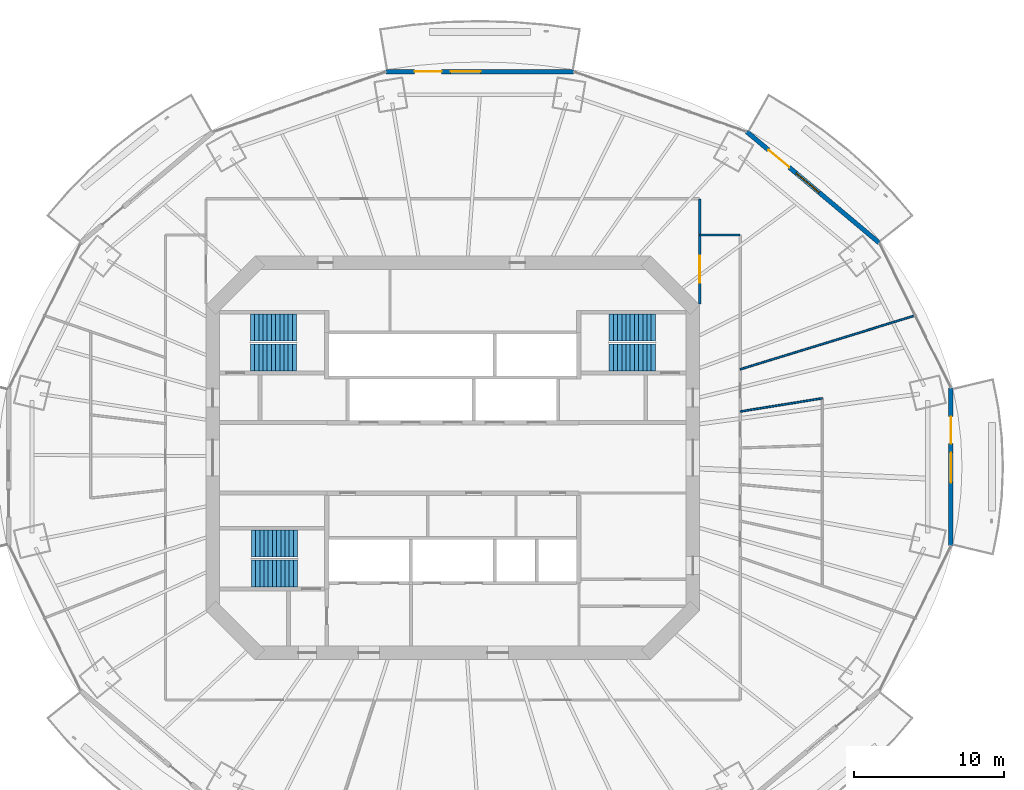
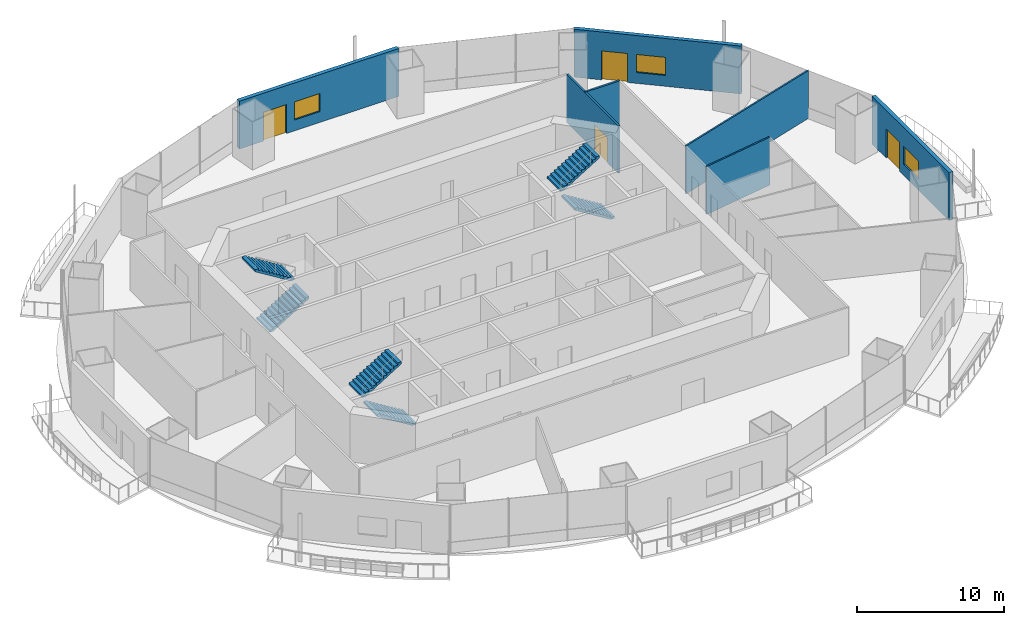
# One storey, part 14 of 20: 7 walls, 6 stair flights, 4 doors, 3 windows, 7 openings, 3 elements without a shape of their own.
"""IFC4 building model written with IfcOpenShell, lengths in metres."""

from ifc_helpers import new_model, si_unit, direction, frame, frame_2d, origin, place, context, subcontext, project, spatial, polyline, rectangle, outline, extrude, material, layer, layer_set, type_object, element, fill, aggregate, save


model = new_model("IFC4")

# Units and contexts
model_context = context("Model", 3, precision=1e-05, world=origin(), true_north=direction((0.0, 1.0)))
body_context = subcontext(model_context, "Body", "Model", "MODEL_VIEW")
ifc_project = project(units=[si_unit("LENGTHUNIT", "METRE"), si_unit("AREAUNIT", "SQUARE_METRE"), si_unit("VOLUMEUNIT", "CUBIC_METRE"), si_unit("PLANEANGLEUNIT", "RADIAN"), si_unit("MASSUNIT", "GRAM", prefix="KILO")], contexts=[model_context])

# Site, building, storey
site_placement = place(None, origin())
site = spatial("IfcSite", under=ifc_project, at=site_placement, CompositionType="ELEMENT")
building_placement = place(site_placement, origin())
building = spatial("IfcBuilding", under=site, at=building_placement, Name="Marenthal Gate Tower", CompositionType="ELEMENT")
storey_placement = place(building_placement, frame((0.0, 0.0, 185.949951171875)))
storey = spatial("IfcBuildingStorey", under=building, at=storey_placement, Name="L40", CompositionType="ELEMENT", Elevation=185.949951171875)

# Walls
ifc_material_1 = material(Name="Gypsum board on steel studs", Category="steel")
ifc_layer_1 = layer(ifc_material_1, 0.1201171875)
ifc_layer_set_1 = layer_set([ifc_layer_1], Name="Partition 120")
wall_type_1 = type_object("IfcWallType", Name="Partition 120", PredefinedType="PARTITIONING", material=ifc_layer_set_1)
wall_1_placement = place(storey_placement, frame((19.14990234375, 5.8935546875, 0.0), z_axis=(0.0, 0.0, 1.0), x_axis=(0.955768190607, 0.29412100541, 0.0)))
element("IfcWall", 1, at=wall_1_placement, inside=storey, type_object=wall_type_1, Name="Partition wall 64", PredefinedType="PARTITIONING", context=body_context, shape_type="SweptSolid", body=[
    extrude(rectangle(XDim=12.199462890625, YDim=0.1201171875, at=frame_2d((6.099609375, 0.0))), origin(), (0.0, 0.0, 1.0), 3.969970703125),
])
wall_2_placement = place(storey_placement, frame((24.61865234375, 3.96337890625, 0.0), z_axis=(0.0, 0.0, 1.0), x_axis=(-0.987288906474, -0.158935883783, 0.0)))
element("IfcWall", 2, at=wall_2_placement, inside=storey, type_object=wall_type_1, Name="Partition wall 70", PredefinedType="PARTITIONING", context=body_context, shape_type="SweptSolid", body=[
    extrude(rectangle(XDim=5.5390625, YDim=0.1201171875, at=frame_2d((2.76953125, 0.0))), origin(), (0.0, 0.0, 1.0), 3.969970703125),
])

# Wall, opening, door
ifc_material_2 = material(Name="Gypsum board on steel studs", Category="steel")
ifc_layer_2 = layer(ifc_material_2, 0.14990234375)
ifc_layer_set_2 = layer_set([ifc_layer_2], Name="Partition 150")
wall_type_2 = type_object("IfcWallType", Name="Partition 150", PredefinedType="PARTITIONING", material=ifc_layer_set_2)
wall_3_placement = place(storey_placement, frame((16.449951171875, 10.25, 0.0), z_axis=(0.0, 0.0, 1.0), x_axis=(0.0, 1.0, 0.0)))
wall_3 = element("IfcWall", 3, at=wall_3_placement, inside=storey, type_object=wall_type_2, Name="Partition wall 60", PredefinedType="PARTITIONING", context=body_context, shape_type="SweptSolid", body=[
    extrude(rectangle(XDim=7.01611328125, YDim=0.14990234375, at=frame_2d((3.508056640625, 0.0))), origin(), (0.0, 0.0, 1.0), 3.969970703125),
])
opening_1_placement = place(wall_3_placement, frame((1.402099609375, 0.0, 0.0)))
opening_1 = element("IfcOpeningElement", 4, at=opening_1_placement, cuts=wall_3, Name="Opening D014.06", PredefinedType="OPENING", context=body_context, shape_type="SweptSolid", body=[
    extrude(rectangle(XDim=1.800048828125, YDim=2.10009765625, at=frame_2d((0.89990234375, 1.050048828125))), frame((0.0, 0.0849609375, 0.0), z_axis=(0.0, -1.0, 0.0), x_axis=(1.0, 0.0, 0.0)), (0.0, 0.0, 1.0), 0.169921875),
])
ifc_material_3 = material(Name="Timber door", Category="wood")
door_type_1 = type_object("IfcDoorType", Name="Double door 1800 x 2100", OperationType="DOUBLE_DOOR_SINGLE_SWING", PredefinedType="DOOR", material=ifc_material_3)
door_1_placement = place(opening_1_placement, origin())
door_1 = element("IfcDoor", 5, at=door_1_placement, inside=storey, type_object=door_type_1, Name="Door D014.06", OperationType="DOUBLE_DOOR_SINGLE_SWING", OverallHeight=2.10009765625, OverallWidth=1.800048828125, PredefinedType="DOOR", context=body_context, shape_type="SweptSolid", body=[
    extrude(rectangle(XDim=1.800048828125, YDim=2.10009765625, at=frame_2d((0.89990234375, 1.050048828125))), frame((0.0, 0.02490234375, 0.0), z_axis=(0.0, -1.0, 0.0), x_axis=(1.0, 0.0, 0.0)), (0.0, 0.0, 1.0), 0.050048828125),
])
fill(opening_1, door_1)

# Wall
wall_4_placement = place(storey_placement, frame((16.449951171875, 14.853759765625, 0.0), z_axis=(0.0, 0.0, 1.0), x_axis=(1.0, 0.0, 0.0)))
element("IfcWall", 6, at=wall_4_placement, inside=storey, type_object=wall_type_2, Name="Partition wall 61", PredefinedType="PARTITIONING", context=body_context, shape_type="SweptSolid", body=[
    extrude(rectangle(XDim=2.699951171875, YDim=0.14990234375, at=frame_2d((1.35009765625, 0.0))), origin(), (0.0, 0.0, 1.0), 3.969970703125),
])

# Wall, openings, door, window
ifc_material_4 = material(Name="Terracotta cladding on insulated concrete-block backing", Category="masonry")
ifc_layer_3 = layer(ifc_material_4, 0.300048828125)
ifc_layer_set_3 = layer_set([ifc_layer_3], Name="Terracotta facade wall 300")
wall_type_3 = type_object("IfcWallType", Name="Terracotta facade wall 300", PredefinedType="SOLIDWALL", material=ifc_layer_set_3)
wall_5_placement = place(storey_placement, frame((28.41943359375, 14.3232421875, 0.0), z_axis=(0.0, 0.0, 1.0), x_axis=(-0.766073485726, 0.642752996468, 0.0)))
wall_5 = element("IfcWall", 7, at=wall_5_placement, inside=storey, type_object=wall_type_3, Name="Terracotta facade wall L40 bay 2", PredefinedType="SOLIDWALL", context=body_context, shape_type="SweptSolid", body=[
    extrude(rectangle(XDim=11.530029296875, YDim=0.300048828125, at=frame_2d((5.76513671875, 0.0))), origin(), (0.0, 0.0, 1.0), 3.969970703125),
])
opening_2_placement = place(wall_5_placement, frame((7.830078125, 0.0, 0.0)))
opening_2 = element("IfcOpeningElement", 8, at=opening_2_placement, cuts=wall_5, Name="Opening BD-L40-02", PredefinedType="OPENING", context=body_context, shape_type="SweptSolid", body=[
    extrude(rectangle(XDim=1.800048828125, YDim=2.39990234375, at=frame_2d((0.89990234375, 1.199951171875))), frame((0.0, 0.16015625, 0.0), z_axis=(0.0, -1.0, 0.0), x_axis=(1.0, 0.0, 0.0)), (0.0, 0.0, 1.0), 0.320068359375),
])
opening_3_placement = place(wall_5_placement, frame((5.22998046875, 0.0, 0.89990234375)))
opening_3 = element("IfcOpeningElement", 9, at=opening_3_placement, cuts=wall_5, Name="Opening WN2-L40-02", PredefinedType="OPENING", context=body_context, shape_type="SweptSolid", body=[
    extrude(rectangle(XDim=2.0, YDim=1.5, at=frame_2d((1.0, 0.75))), frame((0.0, 0.16015625, 0.0), z_axis=(0.0, -1.0, 0.0), x_axis=(1.0, 0.0, 0.0)), (0.0, 0.0, 1.0), 0.320068359375),
])
ifc_material_5 = material(Name="Aluminium and glass", Category="aluminium")
door_type_2 = type_object("IfcDoorType", Name="Balcony door 1800x2400", OperationType="DOUBLE_DOOR_SINGLE_SWING", PredefinedType="DOOR", material=ifc_material_5)
door_2_placement = place(opening_2_placement, origin())
door_2 = element("IfcDoor", 10, at=door_2_placement, inside=storey, type_object=door_type_2, Name="Balcony door L40 bay 2", OperationType="SINGLE_SWING_LEFT", OverallHeight=2.39990234375, OverallWidth=1.800048828125, PredefinedType="DOOR", context=body_context, shape_type="SweptSolid", body=[
    extrude(rectangle(XDim=1.800048828125, YDim=2.39990234375, at=frame_2d((0.89990234375, 1.199951171875))), frame((0.0, 0.02490234375, 0.0), z_axis=(0.0, -1.0, 0.0), x_axis=(1.0, 0.0, 0.0)), (0.0, 0.0, 1.0), 0.050048828125),
])
fill(opening_2, door_2)
ifc_material_6 = material(Name="Aluminium and glass", Category="aluminium")
window_type = type_object("IfcWindowType", Name="Window 2000x1500", PartitioningType="DOUBLE_PANEL_VERTICAL", PredefinedType="WINDOW", material=ifc_material_6)
window_1_placement = place(opening_3_placement, origin())
window_1 = element("IfcWindow", 11, at=window_1_placement, inside=storey, type_object=window_type, Name="Window L40 bay 2", OverallHeight=1.5, OverallWidth=2.0, PartitioningType="SINGLE_PANEL", PredefinedType="WINDOW", context=body_context, shape_type="SweptSolid", body=[
    extrude(rectangle(XDim=2.0, YDim=1.5, at=frame_2d((1.0, 0.75))), frame((0.0, 0.030029296875, 0.0), z_axis=(0.0, -1.0, 0.0), x_axis=(1.0, 0.0, 0.0)), (0.0, 0.0, 1.0), 0.06005859375),
])
fill(opening_3, window_1)

wall_6_placement = place(storey_placement, frame((8.0458984375, 25.744873046875, 0.0), z_axis=(0.0, 0.0, 1.0), x_axis=(-1.0, 0.0, 0.0)))
wall_6 = element("IfcWall", 12, at=wall_6_placement, inside=storey, type_object=wall_type_3, Name="Terracotta facade wall L40 bay 4", PredefinedType="SOLIDWALL", context=body_context, shape_type="SweptSolid", body=[
    extrude(rectangle(XDim=12.49169921875, YDim=0.300048828125, at=frame_2d((6.245849609375, 0.0))), origin(), (0.0, 0.0, 1.0), 3.969970703125),
])
opening_4_placement = place(wall_6_placement, frame((8.79150390625, 0.0, 0.0)))
opening_4 = element("IfcOpeningElement", 13, at=opening_4_placement, cuts=wall_6, Name="Opening BD-L40-04", PredefinedType="OPENING", context=body_context, shape_type="SweptSolid", body=[
    extrude(rectangle(XDim=1.800048828125, YDim=2.39990234375, at=frame_2d((0.89990234375, 1.199951171875))), frame((0.0, 0.16015625, 0.0), z_axis=(0.0, -1.0, 0.0), x_axis=(1.0, 0.0, 0.0)), (0.0, 0.0, 1.0), 0.320068359375),
])
opening_5_placement = place(wall_6_placement, frame((6.191650390625, 0.0, 0.89990234375)))
opening_5 = element("IfcOpeningElement", 14, at=opening_5_placement, cuts=wall_6, Name="Opening WN2-L40-04", PredefinedType="OPENING", context=body_context, shape_type="SweptSolid", body=[
    extrude(rectangle(XDim=2.0, YDim=1.5, at=frame_2d((1.0, 0.75))), frame((0.0, 0.16015625, 0.0), z_axis=(0.0, -1.0, 0.0), x_axis=(1.0, 0.0, 0.0)), (0.0, 0.0, 1.0), 0.320068359375),
])
door_3_placement = place(opening_4_placement, origin())
door_3 = element("IfcDoor", 15, at=door_3_placement, inside=storey, type_object=door_type_2, Name="Balcony door L40 bay 4", OperationType="SINGLE_SWING_LEFT", OverallHeight=2.39990234375, OverallWidth=1.800048828125, PredefinedType="DOOR", context=body_context, shape_type="SweptSolid", body=[
    extrude(rectangle(XDim=1.800048828125, YDim=2.39990234375, at=frame_2d((0.89990234375, 1.199951171875))), frame((0.0, 0.02490234375, 0.0), z_axis=(0.0, -1.0, 0.0), x_axis=(1.0, 0.0, 0.0)), (0.0, 0.0, 1.0), 0.050048828125),
])
fill(opening_4, door_3)
window_2_placement = place(opening_5_placement, origin())
window_2 = element("IfcWindow", 16, at=window_2_placement, inside=storey, type_object=window_type, Name="Window L40 bay 4", OverallHeight=1.5, OverallWidth=2.0, PartitioningType="SINGLE_PANEL", PredefinedType="WINDOW", context=body_context, shape_type="SweptSolid", body=[
    extrude(rectangle(XDim=2.0, YDim=1.5, at=frame_2d((1.0, 0.75))), frame((0.0, 0.030029296875, 0.0), z_axis=(0.0, -1.0, 0.0), x_axis=(1.0, 0.0, 0.0)), (0.0, 0.0, 1.0), 0.06005859375),
])
fill(opening_5, window_2)

wall_7_placement = place(storey_placement, frame((33.19970703125, -5.84033203125, 0.0), z_axis=(0.0, 0.0, 1.0), x_axis=(0.0, 1.0, 0.0)))
wall_7 = element("IfcWall", 17, at=wall_7_placement, inside=storey, type_object=wall_type_3, Name="Terracotta facade wall L40 bay 16", PredefinedType="SOLIDWALL", context=body_context, shape_type="SweptSolid", body=[
    extrude(rectangle(XDim=10.480712890625, YDim=0.300048828125, at=frame_2d((5.240234375, 0.0))), origin(), (0.0, 0.0, 1.0), 3.969970703125),
])
opening_6_placement = place(wall_7_placement, frame((6.780517578125, 0.0, 0.0)))
opening_6 = element("IfcOpeningElement", 18, at=opening_6_placement, cuts=wall_7, Name="Opening BD-L40-16", PredefinedType="OPENING", context=body_context, shape_type="SweptSolid", body=[
    extrude(rectangle(XDim=1.800048828125, YDim=2.39990234375, at=frame_2d((0.89990234375, 1.199951171875))), frame((0.0, 0.16015625, 0.0), z_axis=(0.0, -1.0, 0.0), x_axis=(1.0, 0.0, 0.0)), (0.0, 0.0, 1.0), 0.320068359375),
])
opening_7_placement = place(wall_7_placement, frame((4.1806640625, 0.0, 0.89990234375)))
opening_7 = element("IfcOpeningElement", 19, at=opening_7_placement, cuts=wall_7, Name="Opening WN2-L40-16", PredefinedType="OPENING", context=body_context, shape_type="SweptSolid", body=[
    extrude(rectangle(XDim=2.0, YDim=1.5, at=frame_2d((1.0, 0.75))), frame((0.0, 0.16015625, 0.0), z_axis=(0.0, -1.0, 0.0), x_axis=(1.0, 0.0, 0.0)), (0.0, 0.0, 1.0), 0.320068359375),
])
door_4_placement = place(opening_6_placement, origin())
door_4 = element("IfcDoor", 20, at=door_4_placement, inside=storey, type_object=door_type_2, Name="Balcony door L40 bay 16", OperationType="SINGLE_SWING_LEFT", OverallHeight=2.39990234375, OverallWidth=1.800048828125, PredefinedType="DOOR", context=body_context, shape_type="SweptSolid", body=[
    extrude(rectangle(XDim=1.800048828125, YDim=2.39990234375, at=frame_2d((0.89990234375, 1.199951171875))), frame((0.0, 0.02490234375, 0.0), z_axis=(0.0, -1.0, 0.0), x_axis=(1.0, 0.0, 0.0)), (0.0, 0.0, 1.0), 0.050048828125),
])
fill(opening_6, door_4)
window_3_placement = place(opening_7_placement, origin())
window_3 = element("IfcWindow", 21, at=window_3_placement, inside=storey, type_object=window_type, Name="Window L40 bay 16", OverallHeight=1.5, OverallWidth=2.0, PartitioningType="SINGLE_PANEL", PredefinedType="WINDOW", context=body_context, shape_type="SweptSolid", body=[
    extrude(rectangle(XDim=2.0, YDim=1.5, at=frame_2d((1.0, 0.75))), frame((0.0, 0.030029296875, 0.0), z_axis=(0.0, -1.0, 0.0), x_axis=(1.0, 0.0, 0.0)), (0.0, 0.0, 1.0), 0.06005859375),
])
fill(opening_7, window_3)

# Stair, stair flights
ifc_material_7 = material(Name="Concrete 40 MPa", Category="concrete")
stair_type = type_object("IfcStairType", Name="Exit stair 1800", PredefinedType="HALF_TURN_STAIR", material=ifc_material_7)
stair_1_placement = place(storey_placement, origin())
stair_1 = element("IfcStair", 22, at=stair_1_placement, inside=storey, type_object=stair_type, Name="Stair ST1", PredefinedType="HALF_TURN_STAIR")
ifc_material_8 = material(Name="Concrete 40 MPa", Category="concrete")
stair_flight_type = type_object("IfcStairFlightType", Name="Stair flight 1800", PredefinedType="STRAIGHT", material=ifc_material_8)
stair_flight_1_placement = place(storey_placement, frame((-13.5, 6.675048828125, 0.0), z_axis=(0.0, 0.0, 1.0), x_axis=(1.0, 0.0, 0.0)))
stair_flight_1 = element("IfcStairFlight", 23, at=stair_flight_1_placement, type_object=stair_flight_type, Name="ST1 flight 1", NumberOfRisers=12, NumberOfTreads=11, PredefinedType="STRAIGHT", RiserHeight=0.172916667, TreadLength=0.28, context=body_context, shape_type="SweptSolid", body=[
    extrude(outline(polyline([(0.0, 0.0), (0.0, 0.1728515625), (0.280029296875, 0.1728515625), (0.280029296875, 0.345947265625), (0.56005859375, 0.345947265625), (0.56005859375, 0.518798828125), (0.840087890625, 0.518798828125), (0.840087890625, 0.691650390625), (1.1201171875, 0.691650390625), (1.1201171875, 0.864501953125), (1.39990234375, 0.864501953125), (1.39990234375, 1.03759765625), (1.679931640625, 1.03759765625), (1.679931640625, 1.21044921875), (1.9599609375, 1.21044921875), (1.9599609375, 1.38330078125), (2.239990234375, 1.38330078125), (2.239990234375, 1.55615234375), (2.52001953125, 1.55615234375), (2.52001953125, 1.729248046875), (2.800048828125, 1.729248046875), (2.800048828125, 1.902099609375), (3.080078125, 1.902099609375), (3.080078125, 2.074951171875), (3.080078125, 1.725830078125), (0.285400390625, 0.0), (0.0, 0.0)])), frame((0.0, 0.89990234375, 0.0), z_axis=(0.0, -1.0, 0.0), x_axis=(1.0, 0.0, 0.0)), (0.0, 0.0, 1.0), 1.800048828125),
])
stair_flight_2_placement = place(storey_placement, frame((-10.419921875, 8.675048828125, 2.074951171875), z_axis=(0.0, 0.0, 1.0), x_axis=(-1.0, 0.0, 0.0)))
stair_flight_2 = element("IfcStairFlight", 24, at=stair_flight_2_placement, type_object=stair_flight_type, Name="ST1 flight 2", NumberOfRisers=12, NumberOfTreads=11, PredefinedType="STRAIGHT", RiserHeight=0.172916667, TreadLength=0.28, context=body_context, shape_type="SweptSolid", body=[
    extrude(outline(polyline([(0.0, 0.0), (0.0, 0.1728515625), (0.280029296875, 0.1728515625), (0.280029296875, 0.345947265625), (0.56005859375, 0.345947265625), (0.56005859375, 0.518798828125), (0.840087890625, 0.518798828125), (0.840087890625, 0.691650390625), (1.1201171875, 0.691650390625), (1.1201171875, 0.864501953125), (1.39990234375, 0.864501953125), (1.39990234375, 1.03759765625), (1.679931640625, 1.03759765625), (1.679931640625, 1.21044921875), (1.9599609375, 1.21044921875), (1.9599609375, 1.38330078125), (2.239990234375, 1.38330078125), (2.239990234375, 1.55615234375), (2.52001953125, 1.55615234375), (2.52001953125, 1.729248046875), (2.800048828125, 1.729248046875), (2.800048828125, 1.902099609375), (3.080078125, 1.902099609375), (3.080078125, 2.074951171875), (3.080078125, 1.725830078125), (0.285400390625, 0.0), (0.0, 0.0)])), frame((0.0, 0.89990234375, 0.0), z_axis=(0.0, -1.0, 0.0), x_axis=(1.0, 0.0, 0.0)), (0.0, 0.0, 1.0), 1.800048828125),
])
aggregate(stair_1, [stair_flight_1, stair_flight_2])

stair_2_placement = place(storey_placement, origin())
stair_2 = element("IfcStair", 25, at=stair_2_placement, inside=storey, type_object=stair_type, Name="Stair ST2", PredefinedType="HALF_TURN_STAIR")
stair_flight_3_placement = place(storey_placement, frame((-10.35009765625, -7.72509765625, 0.0), z_axis=(0.0, 0.0, 1.0), x_axis=(-1.0, 0.0, 0.0)))
stair_flight_3 = element("IfcStairFlight", 26, at=stair_flight_3_placement, type_object=stair_flight_type, Name="ST2 flight 1", NumberOfRisers=12, NumberOfTreads=11, PredefinedType="STRAIGHT", RiserHeight=0.172916667, TreadLength=0.28, context=body_context, shape_type="SweptSolid", body=[
    extrude(outline(polyline([(0.0, 0.0), (0.0, 0.1728515625), (0.280029296875, 0.1728515625), (0.280029296875, 0.345947265625), (0.56005859375, 0.345947265625), (0.56005859375, 0.518798828125), (0.840087890625, 0.518798828125), (0.840087890625, 0.691650390625), (1.1201171875, 0.691650390625), (1.1201171875, 0.864501953125), (1.39990234375, 0.864501953125), (1.39990234375, 1.03759765625), (1.679931640625, 1.03759765625), (1.679931640625, 1.21044921875), (1.9599609375, 1.21044921875), (1.9599609375, 1.38330078125), (2.239990234375, 1.38330078125), (2.239990234375, 1.55615234375), (2.52001953125, 1.55615234375), (2.52001953125, 1.729248046875), (2.800048828125, 1.729248046875), (2.800048828125, 1.902099609375), (3.080078125, 1.902099609375), (3.080078125, 2.074951171875), (3.080078125, 1.725830078125), (0.285400390625, 0.0), (0.0, 0.0)])), frame((0.0, 0.89990234375, 0.0), z_axis=(0.0, -1.0, 0.0), x_axis=(1.0, 0.0, 0.0)), (0.0, 0.0, 1.0), 1.800048828125),
])
stair_flight_4_placement = place(storey_placement, frame((-13.429931640625, -5.72509765625, 2.074951171875), z_axis=(0.0, 0.0, 1.0), x_axis=(1.0, 0.0, 0.0)))
stair_flight_4 = element("IfcStairFlight", 27, at=stair_flight_4_placement, type_object=stair_flight_type, Name="ST2 flight 2", NumberOfRisers=12, NumberOfTreads=11, PredefinedType="STRAIGHT", RiserHeight=0.172916667, TreadLength=0.28, context=body_context, shape_type="SweptSolid", body=[
    extrude(outline(polyline([(0.0, 0.0), (0.0, 0.1728515625), (0.280029296875, 0.1728515625), (0.280029296875, 0.345947265625), (0.56005859375, 0.345947265625), (0.56005859375, 0.518798828125), (0.840087890625, 0.518798828125), (0.840087890625, 0.691650390625), (1.1201171875, 0.691650390625), (1.1201171875, 0.864501953125), (1.39990234375, 0.864501953125), (1.39990234375, 1.03759765625), (1.679931640625, 1.03759765625), (1.679931640625, 1.21044921875), (1.9599609375, 1.21044921875), (1.9599609375, 1.38330078125), (2.239990234375, 1.38330078125), (2.239990234375, 1.55615234375), (2.52001953125, 1.55615234375), (2.52001953125, 1.729248046875), (2.800048828125, 1.729248046875), (2.800048828125, 1.902099609375), (3.080078125, 1.902099609375), (3.080078125, 2.074951171875), (3.080078125, 1.725830078125), (0.285400390625, 0.0), (0.0, 0.0)])), frame((0.0, 0.89990234375, 0.0), z_axis=(0.0, -1.0, 0.0), x_axis=(1.0, 0.0, 0.0)), (0.0, 0.0, 1.0), 1.800048828125),
])
aggregate(stair_2, [stair_flight_3, stair_flight_4])

stair_3_placement = place(storey_placement, origin())
stair_3 = element("IfcStair", 28, at=stair_3_placement, inside=storey, type_object=stair_type, Name="Stair ST3", PredefinedType="HALF_TURN_STAIR")
stair_flight_5_placement = place(storey_placement, frame((13.5, 6.675048828125, 0.0), z_axis=(0.0, 0.0, 1.0), x_axis=(-1.0, 0.0, 0.0)))
stair_flight_5 = element("IfcStairFlight", 29, at=stair_flight_5_placement, type_object=stair_flight_type, Name="ST3 flight 1", NumberOfRisers=12, NumberOfTreads=11, PredefinedType="STRAIGHT", RiserHeight=0.172916667, TreadLength=0.28, context=body_context, shape_type="SweptSolid", body=[
    extrude(outline(polyline([(0.0, 0.0), (0.0, 0.1728515625), (0.280029296875, 0.1728515625), (0.280029296875, 0.345947265625), (0.56005859375, 0.345947265625), (0.56005859375, 0.518798828125), (0.840087890625, 0.518798828125), (0.840087890625, 0.691650390625), (1.1201171875, 0.691650390625), (1.1201171875, 0.864501953125), (1.39990234375, 0.864501953125), (1.39990234375, 1.03759765625), (1.679931640625, 1.03759765625), (1.679931640625, 1.21044921875), (1.9599609375, 1.21044921875), (1.9599609375, 1.38330078125), (2.239990234375, 1.38330078125), (2.239990234375, 1.55615234375), (2.52001953125, 1.55615234375), (2.52001953125, 1.729248046875), (2.800048828125, 1.729248046875), (2.800048828125, 1.902099609375), (3.080078125, 1.902099609375), (3.080078125, 2.074951171875), (3.080078125, 1.725830078125), (0.285400390625, 0.0), (0.0, 0.0)])), frame((0.0, 0.89990234375, 0.0), z_axis=(0.0, -1.0, 0.0), x_axis=(1.0, 0.0, 0.0)), (0.0, 0.0, 1.0), 1.800048828125),
])
stair_flight_6_placement = place(storey_placement, frame((10.419921875, 8.675048828125, 2.074951171875), z_axis=(0.0, 0.0, 1.0), x_axis=(1.0, 0.0, 0.0)))
stair_flight_6 = element("IfcStairFlight", 30, at=stair_flight_6_placement, type_object=stair_flight_type, Name="ST3 flight 2", NumberOfRisers=12, NumberOfTreads=11, PredefinedType="STRAIGHT", RiserHeight=0.172916667, TreadLength=0.28, context=body_context, shape_type="SweptSolid", body=[
    extrude(outline(polyline([(0.0, 0.0), (0.0, 0.1728515625), (0.280029296875, 0.1728515625), (0.280029296875, 0.345947265625), (0.56005859375, 0.345947265625), (0.56005859375, 0.518798828125), (0.840087890625, 0.518798828125), (0.840087890625, 0.691650390625), (1.1201171875, 0.691650390625), (1.1201171875, 0.864501953125), (1.39990234375, 0.864501953125), (1.39990234375, 1.03759765625), (1.679931640625, 1.03759765625), (1.679931640625, 1.21044921875), (1.9599609375, 1.21044921875), (1.9599609375, 1.38330078125), (2.239990234375, 1.38330078125), (2.239990234375, 1.55615234375), (2.52001953125, 1.55615234375), (2.52001953125, 1.729248046875), (2.800048828125, 1.729248046875), (2.800048828125, 1.902099609375), (3.080078125, 1.902099609375), (3.080078125, 2.074951171875), (3.080078125, 1.725830078125), (0.285400390625, 0.0), (0.0, 0.0)])), frame((0.0, 0.89990234375, 0.0), z_axis=(0.0, -1.0, 0.0), x_axis=(1.0, 0.0, 0.0)), (0.0, 0.0, 1.0), 1.800048828125),
])
aggregate(stair_3, [stair_flight_5, stair_flight_6])

save(model, "model.ifc")
